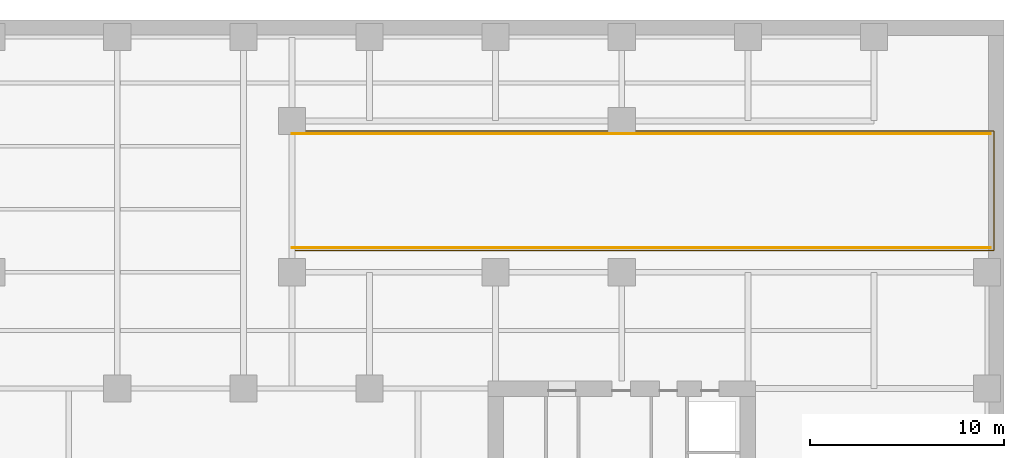
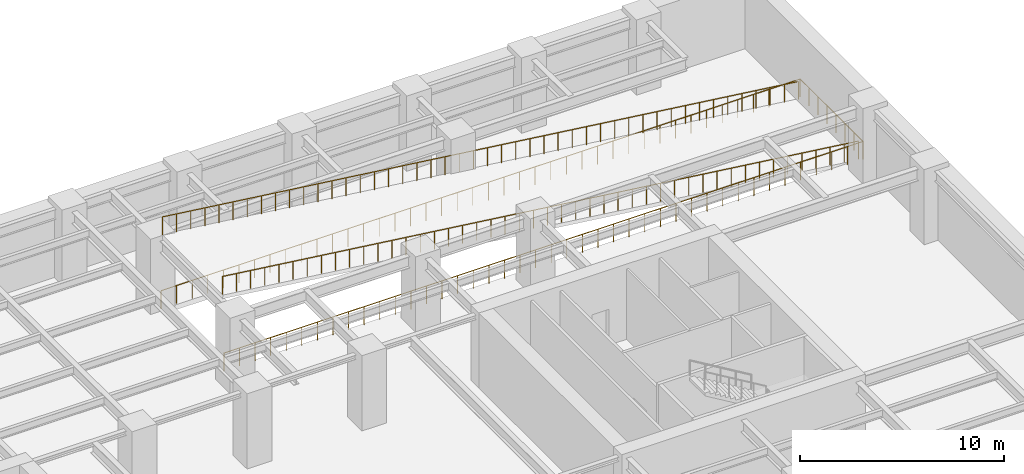
# One storey, part 10 of 10: 3 railings.
"""IFC4 building model written with IfcOpenShell, lengths in metres."""

from ifc_helpers import new_model, si_unit, direction, frame, origin, origin_2d, place, context, subcontext, project, spatial, circle, extrude, material, type_object, element, save


model = new_model("IFC4")

# Units and contexts
model_context = context("Model", 3, precision=1e-05, world=origin(), true_north=direction((0.0, 1.0)))
body_context = subcontext(model_context, "Body", "Model", "MODEL_VIEW")
ifc_project = project(units=[si_unit("LENGTHUNIT", "METRE"), si_unit("AREAUNIT", "SQUARE_METRE"), si_unit("VOLUMEUNIT", "CUBIC_METRE"), si_unit("PLANEANGLEUNIT", "RADIAN"), si_unit("MASSUNIT", "GRAM", prefix="KILO")], contexts=[model_context])

# Site, building, storey
site_placement = place(None, origin())
site = spatial("IfcSite", under=ifc_project, at=site_placement, CompositionType="ELEMENT")
building_placement = place(site_placement, origin())
building = spatial("IfcBuilding", under=site, at=building_placement, Name="Putna Gate Headquarters", CompositionType="ELEMENT")
storey_placement = place(building_placement, frame((0.0, 0.0, -9.0)))
storey = spatial("IfcBuildingStorey", under=building, at=storey_placement, Name="B02", CompositionType="ELEMENT", Elevation=-9.0)

# Railings
ifc_material = material(Name="Powder-coated steel stair guardrail", Category="steel")
railing_type = type_object("IfcRailingType", Name="RAIL-STAIR-GUARD-1100", PredefinedType="GUARDRAIL", material=ifc_material)
railing_1_placement = place(storey_placement, frame((41.5, 40.1201171875, 0.0)))
element("IfcRailing", 1, at=railing_1_placement, inside=storey, type_object=railing_type, Name="B02 Vehicle Ramp Well Guardrail", PredefinedType="GUARDRAIL", context=body_context, shape_type="SweptSolid", body=[
    extrude(circle(Radius=0.02392578125, at=origin_2d()), frame((0.0, 0.0, 1.076171875), z_axis=(1.0, 0.0, 0.0), x_axis=(0.0, 1.0, 0.0)), (0.0, 0.0, 1.0), 36.179931640625),
    extrude(circle(Radius=0.02392578125, at=origin_2d()), frame((36.179931640625, 0.0, 1.076171875), z_axis=(0.0, 1.0, 0.0), x_axis=(-1.0, 0.0, 0.0)), (0.0, 0.0, 1.0), 6.159912109375),
    extrude(circle(Radius=0.02392578125, at=origin_2d()), frame((36.179931640625, 6.159912109375, 1.076171875), z_axis=(-1.0, 0.0, 0.0), x_axis=(0.0, -1.0, 0.0)), (0.0, 0.0, 1.0), 36.179931640625),
    extrude(circle(Radius=0.02099609375, at=origin_2d()), origin(), (0.0, 0.0, 1.0), 1.052001953125),
    extrude(circle(Radius=0.02099609375, at=origin_2d()), frame((0.88232421875, 0.0, 0.0)), (0.0, 0.0, 1.0), 1.052001953125),
    extrude(circle(Radius=0.02099609375, at=origin_2d()), frame((1.764892578125, 0.0, 0.0)), (0.0, 0.0, 1.0), 1.052001953125),
    extrude(circle(Radius=0.02099609375, at=origin_2d()), frame((2.647216796875, 0.0, 0.0)), (0.0, 0.0, 1.0), 1.052001953125),
    extrude(circle(Radius=0.02099609375, at=origin_2d()), frame((3.52978515625, 0.0, 0.0)), (0.0, 0.0, 1.0), 1.052001953125),
    extrude(circle(Radius=0.02099609375, at=origin_2d()), frame((4.412109375, 0.0, 0.0)), (0.0, 0.0, 1.0), 1.052001953125),
    extrude(circle(Radius=0.02099609375, at=origin_2d()), frame((5.294677734375, 0.0, 0.0)), (0.0, 0.0, 1.0), 1.052001953125),
    extrude(circle(Radius=0.02099609375, at=origin_2d()), frame((6.177001953125, 0.0, 0.0)), (0.0, 0.0, 1.0), 1.052001953125),
    extrude(circle(Radius=0.02099609375, at=origin_2d()), frame((7.0595703125, 0.0, 0.0)), (0.0, 0.0, 1.0), 1.052001953125),
    extrude(circle(Radius=0.02099609375, at=origin_2d()), frame((7.94189453125, 0.0, 0.0)), (0.0, 0.0, 1.0), 1.052001953125),
    extrude(circle(Radius=0.02099609375, at=origin_2d()), frame((8.824462890625, 0.0, 0.0)), (0.0, 0.0, 1.0), 1.052001953125),
    extrude(circle(Radius=0.02099609375, at=origin_2d()), frame((9.706787109375, 0.0, 0.0)), (0.0, 0.0, 1.0), 1.052001953125),
    extrude(circle(Radius=0.02099609375, at=origin_2d()), frame((10.58935546875, 0.0, 0.0)), (0.0, 0.0, 1.0), 1.052001953125),
    extrude(circle(Radius=0.02099609375, at=origin_2d()), frame((11.4716796875, 0.0, 0.0)), (0.0, 0.0, 1.0), 1.052001953125),
    extrude(circle(Radius=0.02099609375, at=origin_2d()), frame((12.35400390625, 0.0, 0.0)), (0.0, 0.0, 1.0), 1.052001953125),
    extrude(circle(Radius=0.02099609375, at=origin_2d()), frame((13.236572265625, 0.0, 0.0)), (0.0, 0.0, 1.0), 1.052001953125),
    extrude(circle(Radius=0.02099609375, at=origin_2d()), frame((14.118896484375, 0.0, 0.0)), (0.0, 0.0, 1.0), 1.052001953125),
    extrude(circle(Radius=0.02099609375, at=origin_2d()), frame((15.00146484375, 0.0, 0.0)), (0.0, 0.0, 1.0), 1.052001953125),
    extrude(circle(Radius=0.02099609375, at=origin_2d()), frame((15.8837890625, 0.0, 0.0)), (0.0, 0.0, 1.0), 1.052001953125),
    extrude(circle(Radius=0.02099609375, at=origin_2d()), frame((16.766357421875, 0.0, 0.0)), (0.0, 0.0, 1.0), 1.052001953125),
    extrude(circle(Radius=0.02099609375, at=origin_2d()), frame((17.648681640625, 0.0, 0.0)), (0.0, 0.0, 1.0), 1.052001953125),
    extrude(circle(Radius=0.02099609375, at=origin_2d()), frame((18.53125, 0.0, 0.0)), (0.0, 0.0, 1.0), 1.052001953125),
    extrude(circle(Radius=0.02099609375, at=origin_2d()), frame((19.41357421875, 0.0, 0.0)), (0.0, 0.0, 1.0), 1.052001953125),
    extrude(circle(Radius=0.02099609375, at=origin_2d()), frame((20.296142578125, 0.0, 0.0)), (0.0, 0.0, 1.0), 1.052001953125),
    extrude(circle(Radius=0.02099609375, at=origin_2d()), frame((21.178466796875, 0.0, 0.0)), (0.0, 0.0, 1.0), 1.052001953125),
    extrude(circle(Radius=0.02099609375, at=origin_2d()), frame((22.06103515625, 0.0, 0.0)), (0.0, 0.0, 1.0), 1.052001953125),
    extrude(circle(Radius=0.02099609375, at=origin_2d()), frame((22.943359375, 0.0, 0.0)), (0.0, 0.0, 1.0), 1.052001953125),
    extrude(circle(Radius=0.02099609375, at=origin_2d()), frame((23.825927734375, 0.0, 0.0)), (0.0, 0.0, 1.0), 1.052001953125),
    extrude(circle(Radius=0.02099609375, at=origin_2d()), frame((24.708251953125, 0.0, 0.0)), (0.0, 0.0, 1.0), 1.052001953125),
    extrude(circle(Radius=0.02099609375, at=origin_2d()), frame((25.590576171875, 0.0, 0.0)), (0.0, 0.0, 1.0), 1.052001953125),
    extrude(circle(Radius=0.02099609375, at=origin_2d()), frame((26.47314453125, 0.0, 0.0)), (0.0, 0.0, 1.0), 1.052001953125),
    extrude(circle(Radius=0.02099609375, at=origin_2d()), frame((27.35546875, 0.0, 0.0)), (0.0, 0.0, 1.0), 1.052001953125),
    extrude(circle(Radius=0.02099609375, at=origin_2d()), frame((28.238037109375, 0.0, 0.0)), (0.0, 0.0, 1.0), 1.052001953125),
    extrude(circle(Radius=0.02099609375, at=origin_2d()), frame((29.120361328125, 0.0, 0.0)), (0.0, 0.0, 1.0), 1.052001953125),
    extrude(circle(Radius=0.02099609375, at=origin_2d()), frame((30.0029296875, 0.0, 0.0)), (0.0, 0.0, 1.0), 1.052001953125),
    extrude(circle(Radius=0.02099609375, at=origin_2d()), frame((30.88525390625, 0.0, 0.0)), (0.0, 0.0, 1.0), 1.052001953125),
    extrude(circle(Radius=0.02099609375, at=origin_2d()), frame((31.767822265625, 0.0, 0.0)), (0.0, 0.0, 1.0), 1.052001953125),
    extrude(circle(Radius=0.02099609375, at=origin_2d()), frame((32.650146484375, 0.0, 0.0)), (0.0, 0.0, 1.0), 1.052001953125),
    extrude(circle(Radius=0.02099609375, at=origin_2d()), frame((33.53271484375, 0.0, 0.0)), (0.0, 0.0, 1.0), 1.052001953125),
    extrude(circle(Radius=0.02099609375, at=origin_2d()), frame((34.4150390625, 0.0, 0.0)), (0.0, 0.0, 1.0), 1.052001953125),
    extrude(circle(Radius=0.02099609375, at=origin_2d()), frame((35.297607421875, 0.0, 0.0)), (0.0, 0.0, 1.0), 1.052001953125),
    extrude(circle(Radius=0.02099609375, at=origin_2d()), frame((36.179931640625, 0.0, 0.0)), (0.0, 0.0, 1.0), 1.052001953125),
    extrude(circle(Radius=0.02099609375, at=origin_2d()), frame((36.179931640625, 0.8798828125, 0.0)), (0.0, 0.0, 1.0), 1.052001953125),
    extrude(circle(Radius=0.02099609375, at=origin_2d()), frame((36.179931640625, 1.760009765625, 0.0)), (0.0, 0.0, 1.0), 1.052001953125),
    extrude(circle(Radius=0.02099609375, at=origin_2d()), frame((36.179931640625, 2.639892578125, 0.0)), (0.0, 0.0, 1.0), 1.052001953125),
    extrude(circle(Radius=0.02099609375, at=origin_2d()), frame((36.179931640625, 3.52001953125, 0.0)), (0.0, 0.0, 1.0), 1.052001953125),
    extrude(circle(Radius=0.02099609375, at=origin_2d()), frame((36.179931640625, 4.39990234375, 0.0)), (0.0, 0.0, 1.0), 1.052001953125),
    extrude(circle(Radius=0.02099609375, at=origin_2d()), frame((36.179931640625, 5.280029296875, 0.0)), (0.0, 0.0, 1.0), 1.052001953125),
    extrude(circle(Radius=0.02099609375, at=origin_2d()), frame((36.179931640625, 6.159912109375, 0.0)), (0.0, 0.0, 1.0), 1.052001953125),
    extrude(circle(Radius=0.02099609375, at=origin_2d()), frame((35.297607421875, 6.159912109375, 0.0)), (0.0, 0.0, 1.0), 1.052001953125),
    extrude(circle(Radius=0.02099609375, at=origin_2d()), frame((34.4150390625, 6.159912109375, 0.0)), (0.0, 0.0, 1.0), 1.052001953125),
    extrude(circle(Radius=0.02099609375, at=origin_2d()), frame((33.53271484375, 6.159912109375, 0.0)), (0.0, 0.0, 1.0), 1.052001953125),
    extrude(circle(Radius=0.02099609375, at=origin_2d()), frame((32.650146484375, 6.159912109375, 0.0)), (0.0, 0.0, 1.0), 1.052001953125),
    extrude(circle(Radius=0.02099609375, at=origin_2d()), frame((31.767822265625, 6.159912109375, 0.0)), (0.0, 0.0, 1.0), 1.052001953125),
    extrude(circle(Radius=0.02099609375, at=origin_2d()), frame((30.88525390625, 6.159912109375, 0.0)), (0.0, 0.0, 1.0), 1.052001953125),
    extrude(circle(Radius=0.02099609375, at=origin_2d()), frame((30.0029296875, 6.159912109375, 0.0)), (0.0, 0.0, 1.0), 1.052001953125),
    extrude(circle(Radius=0.02099609375, at=origin_2d()), frame((29.120361328125, 6.159912109375, 0.0)), (0.0, 0.0, 1.0), 1.052001953125),
    extrude(circle(Radius=0.02099609375, at=origin_2d()), frame((28.238037109375, 6.159912109375, 0.0)), (0.0, 0.0, 1.0), 1.052001953125),
    extrude(circle(Radius=0.02099609375, at=origin_2d()), frame((27.35546875, 6.159912109375, 0.0)), (0.0, 0.0, 1.0), 1.052001953125),
    extrude(circle(Radius=0.02099609375, at=origin_2d()), frame((26.47314453125, 6.159912109375, 0.0)), (0.0, 0.0, 1.0), 1.052001953125),
    extrude(circle(Radius=0.02099609375, at=origin_2d()), frame((25.590576171875, 6.159912109375, 0.0)), (0.0, 0.0, 1.0), 1.052001953125),
    extrude(circle(Radius=0.02099609375, at=origin_2d()), frame((24.708251953125, 6.159912109375, 0.0)), (0.0, 0.0, 1.0), 1.052001953125),
    extrude(circle(Radius=0.02099609375, at=origin_2d()), frame((23.825927734375, 6.159912109375, 0.0)), (0.0, 0.0, 1.0), 1.052001953125),
    extrude(circle(Radius=0.02099609375, at=origin_2d()), frame((22.943359375, 6.159912109375, 0.0)), (0.0, 0.0, 1.0), 1.052001953125),
    extrude(circle(Radius=0.02099609375, at=origin_2d()), frame((22.06103515625, 6.159912109375, 0.0)), (0.0, 0.0, 1.0), 1.052001953125),
    extrude(circle(Radius=0.02099609375, at=origin_2d()), frame((21.178466796875, 6.159912109375, 0.0)), (0.0, 0.0, 1.0), 1.052001953125),
    extrude(circle(Radius=0.02099609375, at=origin_2d()), frame((20.296142578125, 6.159912109375, 0.0)), (0.0, 0.0, 1.0), 1.052001953125),
    extrude(circle(Radius=0.02099609375, at=origin_2d()), frame((19.41357421875, 6.159912109375, 0.0)), (0.0, 0.0, 1.0), 1.052001953125),
    extrude(circle(Radius=0.02099609375, at=origin_2d()), frame((18.53125, 6.159912109375, 0.0)), (0.0, 0.0, 1.0), 1.052001953125),
    extrude(circle(Radius=0.02099609375, at=origin_2d()), frame((17.648681640625, 6.159912109375, 0.0)), (0.0, 0.0, 1.0), 1.052001953125),
    extrude(circle(Radius=0.02099609375, at=origin_2d()), frame((16.766357421875, 6.159912109375, 0.0)), (0.0, 0.0, 1.0), 1.052001953125),
    extrude(circle(Radius=0.02099609375, at=origin_2d()), frame((15.8837890625, 6.159912109375, 0.0)), (0.0, 0.0, 1.0), 1.052001953125),
    extrude(circle(Radius=0.02099609375, at=origin_2d()), frame((15.00146484375, 6.159912109375, 0.0)), (0.0, 0.0, 1.0), 1.052001953125),
    extrude(circle(Radius=0.02099609375, at=origin_2d()), frame((14.118896484375, 6.159912109375, 0.0)), (0.0, 0.0, 1.0), 1.052001953125),
    extrude(circle(Radius=0.02099609375, at=origin_2d()), frame((13.236572265625, 6.159912109375, 0.0)), (0.0, 0.0, 1.0), 1.052001953125),
    extrude(circle(Radius=0.02099609375, at=origin_2d()), frame((12.35400390625, 6.159912109375, 0.0)), (0.0, 0.0, 1.0), 1.052001953125),
    extrude(circle(Radius=0.02099609375, at=origin_2d()), frame((11.4716796875, 6.159912109375, 0.0)), (0.0, 0.0, 1.0), 1.052001953125),
    extrude(circle(Radius=0.02099609375, at=origin_2d()), frame((10.58935546875, 6.159912109375, 0.0)), (0.0, 0.0, 1.0), 1.052001953125),
    extrude(circle(Radius=0.02099609375, at=origin_2d()), frame((9.706787109375, 6.159912109375, 0.0)), (0.0, 0.0, 1.0), 1.052001953125),
    extrude(circle(Radius=0.02099609375, at=origin_2d()), frame((8.824462890625, 6.159912109375, 0.0)), (0.0, 0.0, 1.0), 1.052001953125),
    extrude(circle(Radius=0.02099609375, at=origin_2d()), frame((7.94189453125, 6.159912109375, 0.0)), (0.0, 0.0, 1.0), 1.052001953125),
    extrude(circle(Radius=0.02099609375, at=origin_2d()), frame((7.0595703125, 6.159912109375, 0.0)), (0.0, 0.0, 1.0), 1.052001953125),
    extrude(circle(Radius=0.02099609375, at=origin_2d()), frame((6.177001953125, 6.159912109375, 0.0)), (0.0, 0.0, 1.0), 1.052001953125),
    extrude(circle(Radius=0.02099609375, at=origin_2d()), frame((5.294677734375, 6.159912109375, 0.0)), (0.0, 0.0, 1.0), 1.052001953125),
    extrude(circle(Radius=0.02099609375, at=origin_2d()), frame((4.412109375, 6.159912109375, 0.0)), (0.0, 0.0, 1.0), 1.052001953125),
    extrude(circle(Radius=0.02099609375, at=origin_2d()), frame((3.52978515625, 6.159912109375, 0.0)), (0.0, 0.0, 1.0), 1.052001953125),
    extrude(circle(Radius=0.02099609375, at=origin_2d()), frame((2.647216796875, 6.159912109375, 0.0)), (0.0, 0.0, 1.0), 1.052001953125),
    extrude(circle(Radius=0.02099609375, at=origin_2d()), frame((1.764892578125, 6.159912109375, 0.0)), (0.0, 0.0, 1.0), 1.052001953125),
    extrude(circle(Radius=0.02099609375, at=origin_2d()), frame((0.88232421875, 6.159912109375, 0.0)), (0.0, 0.0, 1.0), 1.052001953125),
    extrude(circle(Radius=0.02099609375, at=origin_2d()), frame((0.0, 6.159912109375, 0.0)), (0.0, 0.0, 1.0), 1.052001953125),
])
railing_2_placement = place(storey_placement, frame((77.5, 40.260009765625, 0.0)))
element("IfcRailing", 2, at=railing_2_placement, inside=storey, type_object=railing_type, Name="B02 Sloped Vehicle Ramp Flight Guardrail S", PredefinedType="GUARDRAIL", context=body_context, shape_type="SweptSolid", body=[
    extrude(circle(Radius=0.02392578125, at=origin_2d()), frame((0.0, 0.0, 1.076171875), z_axis=(-0.992277876714, 0.0, 0.124034734589), x_axis=(0.0, -1.0, 0.0)), (0.0, 0.0, 1.0), 4.03125),
    extrude(circle(Radius=0.02392578125, at=origin_2d()), frame((-4.0, 0.0, 1.576171875), z_axis=(-0.992277876714, 0.0, 0.124034734589), x_axis=(0.0, -1.0, 0.0)), (0.0, 0.0, 1.0), 4.03125),
    extrude(circle(Radius=0.02392578125, at=origin_2d()), frame((-8.0, 0.0, 2.076171875), z_axis=(-0.992277876714, 0.0, 0.124034734589), x_axis=(0.0, -1.0, 0.0)), (0.0, 0.0, 1.0), 4.03125),
    extrude(circle(Radius=0.02392578125, at=origin_2d()), frame((-12.0, 0.0, 2.576171875), z_axis=(-0.992277876714, 0.0, 0.124034734589), x_axis=(0.0, -1.0, 0.0)), (0.0, 0.0, 1.0), 4.03125),
    extrude(circle(Radius=0.02392578125, at=origin_2d()), frame((-16.0, 0.0, 3.076171875), z_axis=(-0.992277876714, 0.0, 0.124034734589), x_axis=(0.0, -1.0, 0.0)), (0.0, 0.0, 1.0), 4.03125),
    extrude(circle(Radius=0.02392578125, at=origin_2d()), frame((-20.0, 0.0, 3.576171875), z_axis=(-0.992277876714, 0.0, 0.124034734589), x_axis=(0.0, -1.0, 0.0)), (0.0, 0.0, 1.0), 4.03125),
    extrude(circle(Radius=0.02392578125, at=origin_2d()), frame((-24.0, 0.0, 4.076171875), z_axis=(-0.992277876714, 0.0, 0.124034734589), x_axis=(0.0, -1.0, 0.0)), (0.0, 0.0, 1.0), 4.03125),
    extrude(circle(Radius=0.02392578125, at=origin_2d()), frame((-28.0, 0.0, 4.576171875), z_axis=(-0.992277876714, 0.0, 0.124034734589), x_axis=(0.0, -1.0, 0.0)), (0.0, 0.0, 1.0), 4.03125),
    extrude(circle(Radius=0.02392578125, at=origin_2d()), frame((-32.0, 0.0, 5.076171875), z_axis=(-0.992277876714, 0.0, 0.124034734589), x_axis=(0.0, -1.0, 0.0)), (0.0, 0.0, 1.0), 4.03125),
    extrude(circle(Radius=0.02099609375, at=origin_2d()), origin(), (0.0, 0.0, 1.0), 1.052001953125),
    extrude(circle(Radius=0.02099609375, at=origin_2d()), frame((-0.800048828125, 0.0, 0.10009765625)), (0.0, 0.0, 1.0), 1.052001953125),
    extrude(circle(Radius=0.02099609375, at=origin_2d()), frame((-1.60009765625, 0.0, 0.199951171875)), (0.0, 0.0, 1.0), 1.052001953125),
    extrude(circle(Radius=0.02099609375, at=origin_2d()), frame((-2.39990234375, 0.0, 0.300048828125)), (0.0, 0.0, 1.0), 1.052001953125),
    extrude(circle(Radius=0.02099609375, at=origin_2d()), frame((-3.199951171875, 0.0, 0.39990234375)), (0.0, 0.0, 1.0), 1.052001953125),
    extrude(circle(Radius=0.02099609375, at=origin_2d()), frame((-4.0, 0.0, 0.5)), (0.0, 0.0, 1.0), 1.052001953125),
    extrude(circle(Radius=0.02099609375, at=origin_2d()), frame((-4.800048828125, 0.0, 0.60009765625)), (0.0, 0.0, 1.0), 1.052001953125),
    extrude(circle(Radius=0.02099609375, at=origin_2d()), frame((-5.60009765625, 0.0, 0.699951171875)), (0.0, 0.0, 1.0), 1.052001953125),
    extrude(circle(Radius=0.02099609375, at=origin_2d()), frame((-6.39990234375, 0.0, 0.800048828125)), (0.0, 0.0, 1.0), 1.052001953125),
    extrude(circle(Radius=0.02099609375, at=origin_2d()), frame((-7.199951171875, 0.0, 0.89990234375)), (0.0, 0.0, 1.0), 1.052001953125),
    extrude(circle(Radius=0.02099609375, at=origin_2d()), frame((-8.0, 0.0, 1.0)), (0.0, 0.0, 1.0), 1.052001953125),
    extrude(circle(Radius=0.02099609375, at=origin_2d()), frame((-8.800048828125, 0.0, 1.10009765625)), (0.0, 0.0, 1.0), 1.052001953125),
    extrude(circle(Radius=0.02099609375, at=origin_2d()), frame((-9.60009765625, 0.0, 1.199951171875)), (0.0, 0.0, 1.0), 1.052001953125),
    extrude(circle(Radius=0.02099609375, at=origin_2d()), frame((-10.39990234375, 0.0, 1.300048828125)), (0.0, 0.0, 1.0), 1.052001953125),
    extrude(circle(Radius=0.02099609375, at=origin_2d()), frame((-11.199951171875, 0.0, 1.39990234375)), (0.0, 0.0, 1.0), 1.052001953125),
    extrude(circle(Radius=0.02099609375, at=origin_2d()), frame((-12.0, 0.0, 1.5)), (0.0, 0.0, 1.0), 1.052001953125),
    extrude(circle(Radius=0.02099609375, at=origin_2d()), frame((-12.800048828125, 0.0, 1.60009765625)), (0.0, 0.0, 1.0), 1.052001953125),
    extrude(circle(Radius=0.02099609375, at=origin_2d()), frame((-13.60009765625, 0.0, 1.699951171875)), (0.0, 0.0, 1.0), 1.052001953125),
    extrude(circle(Radius=0.02099609375, at=origin_2d()), frame((-14.39990234375, 0.0, 1.800048828125)), (0.0, 0.0, 1.0), 1.052001953125),
    extrude(circle(Radius=0.02099609375, at=origin_2d()), frame((-15.199951171875, 0.0, 1.89990234375)), (0.0, 0.0, 1.0), 1.052001953125),
    extrude(circle(Radius=0.02099609375, at=origin_2d()), frame((-16.0, 0.0, 2.0)), (0.0, 0.0, 1.0), 1.052001953125),
    extrude(circle(Radius=0.02099609375, at=origin_2d()), frame((-16.800048828125, 0.0, 2.10009765625)), (0.0, 0.0, 1.0), 1.052001953125),
    extrude(circle(Radius=0.02099609375, at=origin_2d()), frame((-17.60009765625, 0.0, 2.199951171875)), (0.0, 0.0, 1.0), 1.052001953125),
    extrude(circle(Radius=0.02099609375, at=origin_2d()), frame((-18.39990234375, 0.0, 2.300048828125)), (0.0, 0.0, 1.0), 1.052001953125),
    extrude(circle(Radius=0.02099609375, at=origin_2d()), frame((-19.199951171875, 0.0, 2.39990234375)), (0.0, 0.0, 1.0), 1.052001953125),
    extrude(circle(Radius=0.02099609375, at=origin_2d()), frame((-20.0, 0.0, 2.5)), (0.0, 0.0, 1.0), 1.052001953125),
    extrude(circle(Radius=0.02099609375, at=origin_2d()), frame((-20.800048828125, 0.0, 2.60009765625)), (0.0, 0.0, 1.0), 1.052001953125),
    extrude(circle(Radius=0.02099609375, at=origin_2d()), frame((-21.60009765625, 0.0, 2.699951171875)), (0.0, 0.0, 1.0), 1.052001953125),
    extrude(circle(Radius=0.02099609375, at=origin_2d()), frame((-22.39990234375, 0.0, 2.800048828125)), (0.0, 0.0, 1.0), 1.052001953125),
    extrude(circle(Radius=0.02099609375, at=origin_2d()), frame((-23.199951171875, 0.0, 2.89990234375)), (0.0, 0.0, 1.0), 1.052001953125),
    extrude(circle(Radius=0.02099609375, at=origin_2d()), frame((-24.0, 0.0, 3.0)), (0.0, 0.0, 1.0), 1.052001953125),
    extrude(circle(Radius=0.02099609375, at=origin_2d()), frame((-24.800048828125, 0.0, 3.10009765625)), (0.0, 0.0, 1.0), 1.052001953125),
    extrude(circle(Radius=0.02099609375, at=origin_2d()), frame((-25.60009765625, 0.0, 3.199951171875)), (0.0, 0.0, 1.0), 1.052001953125),
    extrude(circle(Radius=0.02099609375, at=origin_2d()), frame((-26.39990234375, 0.0, 3.300048828125)), (0.0, 0.0, 1.0), 1.052001953125),
    extrude(circle(Radius=0.02099609375, at=origin_2d()), frame((-27.199951171875, 0.0, 3.39990234375)), (0.0, 0.0, 1.0), 1.052001953125),
    extrude(circle(Radius=0.02099609375, at=origin_2d()), frame((-28.0, 0.0, 3.5)), (0.0, 0.0, 1.0), 1.052001953125),
    extrude(circle(Radius=0.02099609375, at=origin_2d()), frame((-28.800048828125, 0.0, 3.60009765625)), (0.0, 0.0, 1.0), 1.052001953125),
    extrude(circle(Radius=0.02099609375, at=origin_2d()), frame((-29.60009765625, 0.0, 3.699951171875)), (0.0, 0.0, 1.0), 1.052001953125),
    extrude(circle(Radius=0.02099609375, at=origin_2d()), frame((-30.39990234375, 0.0, 3.800048828125)), (0.0, 0.0, 1.0), 1.052001953125),
    extrude(circle(Radius=0.02099609375, at=origin_2d()), frame((-31.199951171875, 0.0, 3.89990234375)), (0.0, 0.0, 1.0), 1.052001953125),
    extrude(circle(Radius=0.02099609375, at=origin_2d()), frame((-32.0, 0.0, 4.0)), (0.0, 0.0, 1.0), 1.052001953125),
    extrude(circle(Radius=0.02099609375, at=origin_2d()), frame((-32.800048828125, 0.0, 4.10009765625)), (0.0, 0.0, 1.0), 1.052001953125),
    extrude(circle(Radius=0.02099609375, at=origin_2d()), frame((-33.60009765625, 0.0, 4.199951171875)), (0.0, 0.0, 1.0), 1.052001953125),
    extrude(circle(Radius=0.02099609375, at=origin_2d()), frame((-34.39990234375, 0.0, 4.300048828125)), (0.0, 0.0, 1.0), 1.052001953125),
    extrude(circle(Radius=0.02099609375, at=origin_2d()), frame((-35.199951171875, 0.0, 4.39990234375)), (0.0, 0.0, 1.0), 1.052001953125),
    extrude(circle(Radius=0.02099609375, at=origin_2d()), frame((-36.0, 0.0, 4.5)), (0.0, 0.0, 1.0), 1.052001953125),
])
railing_3_placement = place(storey_placement, frame((77.5, 46.139892578125, 0.0)))
element("IfcRailing", 3, at=railing_3_placement, inside=storey, type_object=railing_type, Name="B02 Sloped Vehicle Ramp Flight Guardrail N", PredefinedType="GUARDRAIL", context=body_context, shape_type="SweptSolid", body=[
    extrude(circle(Radius=0.02392578125, at=origin_2d()), frame((0.0, 0.0, 1.076171875), z_axis=(-0.992277876714, 0.0, 0.124034734589), x_axis=(0.0, -1.0, 0.0)), (0.0, 0.0, 1.0), 4.03125),
    extrude(circle(Radius=0.02392578125, at=origin_2d()), frame((-4.0, 0.0, 1.576171875), z_axis=(-0.992277876714, 0.0, 0.124034734589), x_axis=(0.0, -1.0, 0.0)), (0.0, 0.0, 1.0), 4.03125),
    extrude(circle(Radius=0.02392578125, at=origin_2d()), frame((-8.0, 0.0, 2.076171875), z_axis=(-0.992277876714, 0.0, 0.124034734589), x_axis=(0.0, -1.0, 0.0)), (0.0, 0.0, 1.0), 4.03125),
    extrude(circle(Radius=0.02392578125, at=origin_2d()), frame((-12.0, 0.0, 2.576171875), z_axis=(-0.992277876714, 0.0, 0.124034734589), x_axis=(0.0, -1.0, 0.0)), (0.0, 0.0, 1.0), 4.03125),
    extrude(circle(Radius=0.02392578125, at=origin_2d()), frame((-16.0, 0.0, 3.076171875), z_axis=(-0.992277876714, 0.0, 0.124034734589), x_axis=(0.0, -1.0, 0.0)), (0.0, 0.0, 1.0), 4.03125),
    extrude(circle(Radius=0.02392578125, at=origin_2d()), frame((-20.0, 0.0, 3.576171875), z_axis=(-0.992277876714, 0.0, 0.124034734589), x_axis=(0.0, -1.0, 0.0)), (0.0, 0.0, 1.0), 4.03125),
    extrude(circle(Radius=0.02392578125, at=origin_2d()), frame((-24.0, 0.0, 4.076171875), z_axis=(-0.992277876714, 0.0, 0.124034734589), x_axis=(0.0, -1.0, 0.0)), (0.0, 0.0, 1.0), 4.03125),
    extrude(circle(Radius=0.02392578125, at=origin_2d()), frame((-28.0, 0.0, 4.576171875), z_axis=(-0.992277876714, 0.0, 0.124034734589), x_axis=(0.0, -1.0, 0.0)), (0.0, 0.0, 1.0), 4.03125),
    extrude(circle(Radius=0.02392578125, at=origin_2d()), frame((-32.0, 0.0, 5.076171875), z_axis=(-0.992277876714, 0.0, 0.124034734589), x_axis=(0.0, -1.0, 0.0)), (0.0, 0.0, 1.0), 4.03125),
    extrude(circle(Radius=0.02099609375, at=origin_2d()), origin(), (0.0, 0.0, 1.0), 1.052001953125),
    extrude(circle(Radius=0.02099609375, at=origin_2d()), frame((-0.800048828125, 0.0, 0.10009765625)), (0.0, 0.0, 1.0), 1.052001953125),
    extrude(circle(Radius=0.02099609375, at=origin_2d()), frame((-1.60009765625, 0.0, 0.199951171875)), (0.0, 0.0, 1.0), 1.052001953125),
    extrude(circle(Radius=0.02099609375, at=origin_2d()), frame((-2.39990234375, 0.0, 0.300048828125)), (0.0, 0.0, 1.0), 1.052001953125),
    extrude(circle(Radius=0.02099609375, at=origin_2d()), frame((-3.199951171875, 0.0, 0.39990234375)), (0.0, 0.0, 1.0), 1.052001953125),
    extrude(circle(Radius=0.02099609375, at=origin_2d()), frame((-4.0, 0.0, 0.5)), (0.0, 0.0, 1.0), 1.052001953125),
    extrude(circle(Radius=0.02099609375, at=origin_2d()), frame((-4.800048828125, 0.0, 0.60009765625)), (0.0, 0.0, 1.0), 1.052001953125),
    extrude(circle(Radius=0.02099609375, at=origin_2d()), frame((-5.60009765625, 0.0, 0.699951171875)), (0.0, 0.0, 1.0), 1.052001953125),
    extrude(circle(Radius=0.02099609375, at=origin_2d()), frame((-6.39990234375, 0.0, 0.800048828125)), (0.0, 0.0, 1.0), 1.052001953125),
    extrude(circle(Radius=0.02099609375, at=origin_2d()), frame((-7.199951171875, 0.0, 0.89990234375)), (0.0, 0.0, 1.0), 1.052001953125),
    extrude(circle(Radius=0.02099609375, at=origin_2d()), frame((-8.0, 0.0, 1.0)), (0.0, 0.0, 1.0), 1.052001953125),
    extrude(circle(Radius=0.02099609375, at=origin_2d()), frame((-8.800048828125, 0.0, 1.10009765625)), (0.0, 0.0, 1.0), 1.052001953125),
    extrude(circle(Radius=0.02099609375, at=origin_2d()), frame((-9.60009765625, 0.0, 1.199951171875)), (0.0, 0.0, 1.0), 1.052001953125),
    extrude(circle(Radius=0.02099609375, at=origin_2d()), frame((-10.39990234375, 0.0, 1.300048828125)), (0.0, 0.0, 1.0), 1.052001953125),
    extrude(circle(Radius=0.02099609375, at=origin_2d()), frame((-11.199951171875, 0.0, 1.39990234375)), (0.0, 0.0, 1.0), 1.052001953125),
    extrude(circle(Radius=0.02099609375, at=origin_2d()), frame((-12.0, 0.0, 1.5)), (0.0, 0.0, 1.0), 1.052001953125),
    extrude(circle(Radius=0.02099609375, at=origin_2d()), frame((-12.800048828125, 0.0, 1.60009765625)), (0.0, 0.0, 1.0), 1.052001953125),
    extrude(circle(Radius=0.02099609375, at=origin_2d()), frame((-13.60009765625, 0.0, 1.699951171875)), (0.0, 0.0, 1.0), 1.052001953125),
    extrude(circle(Radius=0.02099609375, at=origin_2d()), frame((-14.39990234375, 0.0, 1.800048828125)), (0.0, 0.0, 1.0), 1.052001953125),
    extrude(circle(Radius=0.02099609375, at=origin_2d()), frame((-15.199951171875, 0.0, 1.89990234375)), (0.0, 0.0, 1.0), 1.052001953125),
    extrude(circle(Radius=0.02099609375, at=origin_2d()), frame((-16.0, 0.0, 2.0)), (0.0, 0.0, 1.0), 1.052001953125),
    extrude(circle(Radius=0.02099609375, at=origin_2d()), frame((-16.800048828125, 0.0, 2.10009765625)), (0.0, 0.0, 1.0), 1.052001953125),
    extrude(circle(Radius=0.02099609375, at=origin_2d()), frame((-17.60009765625, 0.0, 2.199951171875)), (0.0, 0.0, 1.0), 1.052001953125),
    extrude(circle(Radius=0.02099609375, at=origin_2d()), frame((-18.39990234375, 0.0, 2.300048828125)), (0.0, 0.0, 1.0), 1.052001953125),
    extrude(circle(Radius=0.02099609375, at=origin_2d()), frame((-19.199951171875, 0.0, 2.39990234375)), (0.0, 0.0, 1.0), 1.052001953125),
    extrude(circle(Radius=0.02099609375, at=origin_2d()), frame((-20.0, 0.0, 2.5)), (0.0, 0.0, 1.0), 1.052001953125),
    extrude(circle(Radius=0.02099609375, at=origin_2d()), frame((-20.800048828125, 0.0, 2.60009765625)), (0.0, 0.0, 1.0), 1.052001953125),
    extrude(circle(Radius=0.02099609375, at=origin_2d()), frame((-21.60009765625, 0.0, 2.699951171875)), (0.0, 0.0, 1.0), 1.052001953125),
    extrude(circle(Radius=0.02099609375, at=origin_2d()), frame((-22.39990234375, 0.0, 2.800048828125)), (0.0, 0.0, 1.0), 1.052001953125),
    extrude(circle(Radius=0.02099609375, at=origin_2d()), frame((-23.199951171875, 0.0, 2.89990234375)), (0.0, 0.0, 1.0), 1.052001953125),
    extrude(circle(Radius=0.02099609375, at=origin_2d()), frame((-24.0, 0.0, 3.0)), (0.0, 0.0, 1.0), 1.052001953125),
    extrude(circle(Radius=0.02099609375, at=origin_2d()), frame((-24.800048828125, 0.0, 3.10009765625)), (0.0, 0.0, 1.0), 1.052001953125),
    extrude(circle(Radius=0.02099609375, at=origin_2d()), frame((-25.60009765625, 0.0, 3.199951171875)), (0.0, 0.0, 1.0), 1.052001953125),
    extrude(circle(Radius=0.02099609375, at=origin_2d()), frame((-26.39990234375, 0.0, 3.300048828125)), (0.0, 0.0, 1.0), 1.052001953125),
    extrude(circle(Radius=0.02099609375, at=origin_2d()), frame((-27.199951171875, 0.0, 3.39990234375)), (0.0, 0.0, 1.0), 1.052001953125),
    extrude(circle(Radius=0.02099609375, at=origin_2d()), frame((-28.0, 0.0, 3.5)), (0.0, 0.0, 1.0), 1.052001953125),
    extrude(circle(Radius=0.02099609375, at=origin_2d()), frame((-28.800048828125, 0.0, 3.60009765625)), (0.0, 0.0, 1.0), 1.052001953125),
    extrude(circle(Radius=0.02099609375, at=origin_2d()), frame((-29.60009765625, 0.0, 3.699951171875)), (0.0, 0.0, 1.0), 1.052001953125),
    extrude(circle(Radius=0.02099609375, at=origin_2d()), frame((-30.39990234375, 0.0, 3.800048828125)), (0.0, 0.0, 1.0), 1.052001953125),
    extrude(circle(Radius=0.02099609375, at=origin_2d()), frame((-31.199951171875, 0.0, 3.89990234375)), (0.0, 0.0, 1.0), 1.052001953125),
    extrude(circle(Radius=0.02099609375, at=origin_2d()), frame((-32.0, 0.0, 4.0)), (0.0, 0.0, 1.0), 1.052001953125),
    extrude(circle(Radius=0.02099609375, at=origin_2d()), frame((-32.800048828125, 0.0, 4.10009765625)), (0.0, 0.0, 1.0), 1.052001953125),
    extrude(circle(Radius=0.02099609375, at=origin_2d()), frame((-33.60009765625, 0.0, 4.199951171875)), (0.0, 0.0, 1.0), 1.052001953125),
    extrude(circle(Radius=0.02099609375, at=origin_2d()), frame((-34.39990234375, 0.0, 4.300048828125)), (0.0, 0.0, 1.0), 1.052001953125),
    extrude(circle(Radius=0.02099609375, at=origin_2d()), frame((-35.199951171875, 0.0, 4.39990234375)), (0.0, 0.0, 1.0), 1.052001953125),
    extrude(circle(Radius=0.02099609375, at=origin_2d()), frame((-36.0, 0.0, 4.5)), (0.0, 0.0, 1.0), 1.052001953125),
])

save(model, "model.ifc")
